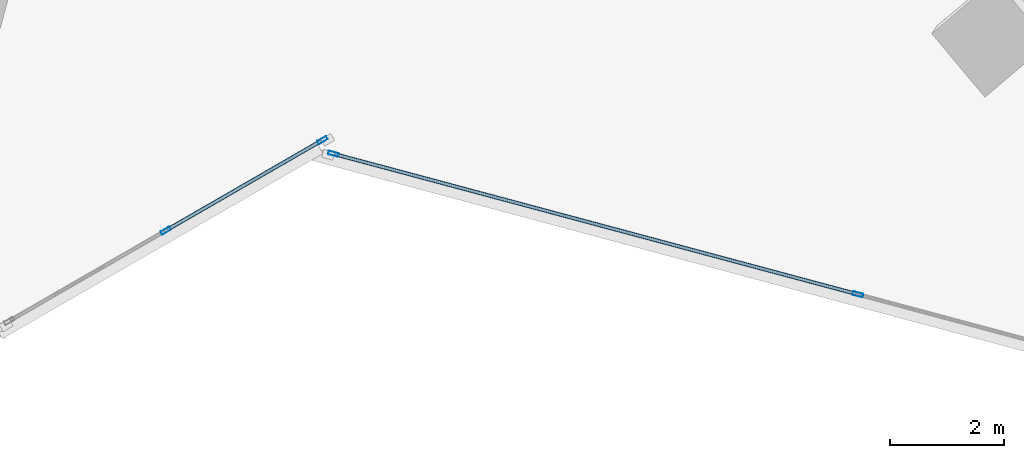
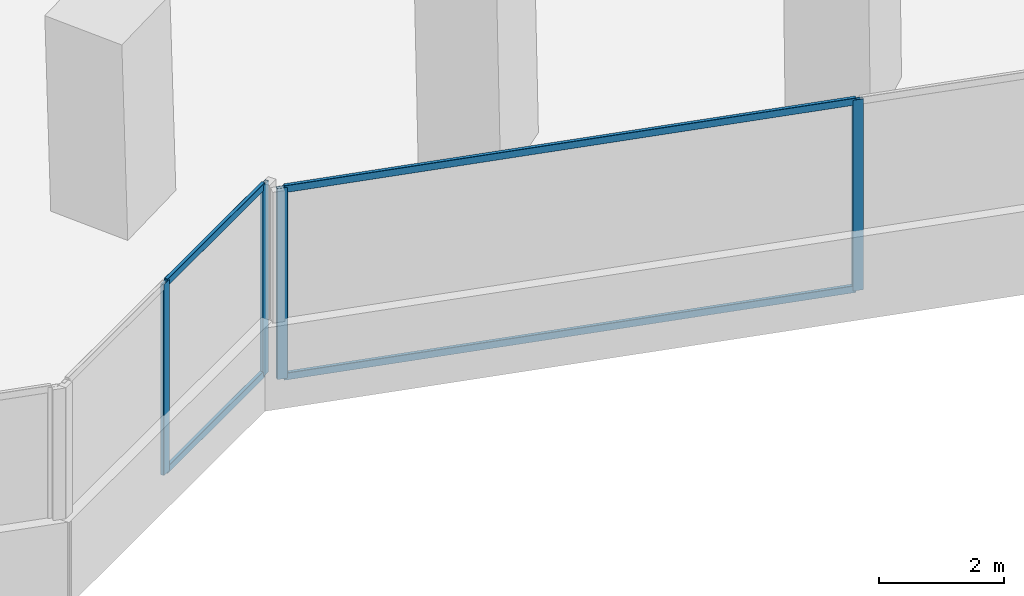
# One storey, part 8 of 27: 8 members, 2 elements without a shape of their own.
"""IFC4 building model written with IfcOpenShell, lengths in metres."""

from ifc_helpers import new_model, si_unit, direction, frame, origin, origin_2d, place, context, subcontext, project, spatial, hollow_rectangle, extrude, source, transform, mapped, material, material_profile, profile_set, type_object, element, aggregate, save


model = new_model("IFC4")

# Units and contexts
model_context = context("Model", 3, precision=1e-05, world=origin(), true_north=direction((0.0, 1.0)))
body_context = subcontext(model_context, "Body", "Model", "MODEL_VIEW")
ifc_project = project(units=[si_unit("LENGTHUNIT", "METRE"), si_unit("AREAUNIT", "SQUARE_METRE"), si_unit("VOLUMEUNIT", "CUBIC_METRE"), si_unit("PLANEANGLEUNIT", "RADIAN"), si_unit("MASSUNIT", "GRAM", prefix="KILO")], contexts=[model_context])

# Site, building, storey
site_placement = place(None, origin())
site = spatial("IfcSite", under=ifc_project, at=site_placement, CompositionType="ELEMENT")
building_placement = place(site_placement, origin())
building = spatial("IfcBuilding", under=site, at=building_placement, Name="Torre Montelarca", CompositionType="ELEMENT")
storey_placement = place(building_placement, frame((0.0, 0.0, 108.39990234375)))
storey = spatial("IfcBuildingStorey", under=building, at=storey_placement, Name="L24", CompositionType="ELEMENT", Elevation=108.39990234375)

# Curtain wall, members
ifc_material_1 = material(Name="Insulated low-E laminated glass", Category="glass")
curtain_wall_type = type_object("IfcCurtainWallType", Name="CW-SYS-Z1", PredefinedType="USERDEFINED", material=ifc_material_1)
curtain_wall_1_placement = place(storey_placement, origin())
curtain_wall_1 = element("IfcCurtainWall", 1, at=curtain_wall_1_placement, inside=storey, type_object=curtain_wall_type, Name="L24 Curtain Wall Run CW-T3-L24-E02-B1", ObjectType="UNITISED GLAZING", PredefinedType="USERDEFINED")
ifc_material_2 = material(Name="Anodised aluminium AA 6063-T6", Category="aluminium")
ifc_material_profile_1 = material_profile(ifc_material_2, hollow_rectangle(XDim=0.06494140625, YDim=0.139892578125, WallThickness=0.00390625, InnerFilletRadius=0.00390625, OuterFilletRadius=0.008056640625, at=origin_2d()), Name="ALU65X140X4", Category="aluminium")
ifc_profile_set_1 = profile_set([ifc_material_profile_1], Name="Anodised aluminium AA 6063-T6")
member_type_1 = type_object("IfcMemberType", Name="CWT-ALU140", PredefinedType="USERDEFINED", material=ifc_profile_set_1)
shared_shape_1 = source(origin(), body_context, "Body", "SweptSolid", [
    extrude(hollow_rectangle(XDim=0.06494140625, YDim=0.139892578125, WallThickness=0.00390625, InnerFilletRadius=0.00390625, OuterFilletRadius=0.008056640625, at=origin_2d()), origin(), (0.0, 0.0, 1.0), 3.102294921875),
])
member_1_placement = place(storey_placement, frame((30.196044921875, 13.41064453125, 0.03271484375), z_axis=(0.865996857859, 0.500049439734, 0.0), x_axis=(-0.500049439734, 0.865996857859, 0.0)))
member_1 = element("IfcMember", 2, at=member_1_placement, type_object=member_type_1, Name="CW transom 2.1", ObjectType="TRANSOM", PredefinedType="USERDEFINED", context=body_context, shape_type="MappedRepresentation", body=[
    mapped(shared_shape_1, transform((0.0, 0.0, 0.0), scale=1.0)),
])
member_2_placement = place(storey_placement, frame((30.196044921875, 13.41064453125, 3.6875), z_axis=(0.865996857859, 0.500049439734, 0.0), x_axis=(-0.500049439734, 0.865996857859, 0.0)))
member_2 = element("IfcMember", 3, at=member_2_placement, type_object=member_type_1, Name="CW transom 2.2", ObjectType="TRANSOM", PredefinedType="USERDEFINED", context=body_context, shape_type="MappedRepresentation", body=[
    mapped(shared_shape_1, transform((0.0, 0.0, 0.0), scale=1.0)),
])

curtain_wall_2_placement = place(storey_placement, origin())
curtain_wall_2 = element("IfcCurtainWall", 4, at=curtain_wall_2_placement, inside=storey, type_object=curtain_wall_type, Name="L24 Curtain Wall Run CW-T3-L24-E04-B1", ObjectType="UNITISED GLAZING", PredefinedType="USERDEFINED")
shared_shape_2 = source(origin(), body_context, "Body", "SweptSolid", [
    extrude(hollow_rectangle(XDim=0.06494140625, YDim=0.139892578125, WallThickness=0.00390625, InnerFilletRadius=0.00390625, OuterFilletRadius=0.008056640625, at=origin_2d()), origin(), (0.0, 0.0, 1.0), 9.448486328125),
])
member_3_placement = place(storey_placement, frame((33.1337890625, 14.73046875, 0.03271484375), z_axis=(0.965928905707, -0.258807552286, 0.0), x_axis=(0.258807552286, 0.965928905707, 0.0)))
member_3 = element("IfcMember", 5, at=member_3_placement, type_object=member_type_1, Name="CW transom 1.1", ObjectType="TRANSOM", PredefinedType="USERDEFINED", context=body_context, shape_type="MappedRepresentation", body=[
    mapped(shared_shape_2, transform((0.0, 0.0, 0.0), scale=1.0)),
])
member_4_placement = place(storey_placement, frame((33.1337890625, 14.73046875, 3.6875), z_axis=(0.965928905707, -0.258807552286, 0.0), x_axis=(0.258807552286, 0.965928905707, 0.0)))
member_4 = element("IfcMember", 6, at=member_4_placement, type_object=member_type_1, Name="CW transom 1.2", ObjectType="TRANSOM", PredefinedType="USERDEFINED", context=body_context, shape_type="MappedRepresentation", body=[
    mapped(shared_shape_2, transform((0.0, 0.0, 0.0), scale=1.0)),
])

# Member
ifc_material_profile_2 = material_profile(ifc_material_2, hollow_rectangle(XDim=0.06494140625, YDim=0.179931640625, WallThickness=0.00390625, InnerFilletRadius=0.00390625, OuterFilletRadius=0.008056640625, at=origin_2d()), Name="ALU65X180X4", Category="aluminium")
ifc_profile_set_2 = profile_set([ifc_material_profile_2], Name="Anodised aluminium AA 6063-T6")
member_type_2 = type_object("IfcMemberType", Name="CWM-ALU180", PredefinedType="MULLION", material=ifc_profile_set_2)
shared_shape_3 = source(origin(), body_context, "Body", "SweptSolid", [
    extrude(hollow_rectangle(XDim=0.06494140625, YDim=0.179931640625, WallThickness=0.00390625, InnerFilletRadius=0.00390625, OuterFilletRadius=0.008056640625, at=origin_2d()), origin(), (0.0, 0.0, 1.0), 3.72021484375),
])
member_5_placement = place(storey_placement, frame((30.167724609375, 13.394287109375, 0.0), z_axis=(0.0, 0.0, 1.0), x_axis=(-0.500001094386, 0.86602477194, 0.0)))
member_5 = element("IfcMember", 7, at=member_5_placement, type_object=member_type_2, Name="CW mullion 2", PredefinedType="MULLION", context=body_context, shape_type="MappedRepresentation", body=[
    mapped(shared_shape_3, transform((0.0, 0.0, 0.0), scale=1.0)),
])

member_6_placement = place(storey_placement, frame((32.91064453125, 14.97802734375, 0.0), z_axis=(0.0, 0.0, 1.0), x_axis=(-0.500001094386, 0.86602477194, 0.0)))
member_6 = element("IfcMember", 8, at=member_6_placement, type_object=member_type_2, Name="CW mullion 3", PredefinedType="MULLION", context=body_context, shape_type="MappedRepresentation", body=[
    mapped(shared_shape_3, transform((0.0, 0.0, 0.0), scale=1.0)),
])

aggregate(curtain_wall_1, [member_5, member_6, member_1, member_2])

member_7_placement = place(storey_placement, frame((33.102294921875, 14.739013671875, 0.0), z_axis=(0.0, 0.0, 1.0), x_axis=(0.258823354003, 0.965924671712, 0.0)))
member_7 = element("IfcMember", 9, at=member_7_placement, type_object=member_type_2, Name="CW mullion 1", PredefinedType="MULLION", context=body_context, shape_type="MappedRepresentation", body=[
    mapped(shared_shape_3, transform((0.0, 0.0, 0.0), scale=1.0)),
])

member_8_placement = place(storey_placement, frame((42.291748046875, 12.276611328125, 0.0), z_axis=(0.0, 0.0, 1.0), x_axis=(0.258823354003, 0.965924671712, 0.0)))
member_8 = element("IfcMember", 10, at=member_8_placement, type_object=member_type_2, Name="CW mullion 2", PredefinedType="MULLION", context=body_context, shape_type="MappedRepresentation", body=[
    mapped(shared_shape_3, transform((0.0, 0.0, 0.0), scale=1.0)),
])

aggregate(curtain_wall_2, [member_7, member_8, member_3, member_4])

save(model, "model.ifc")
